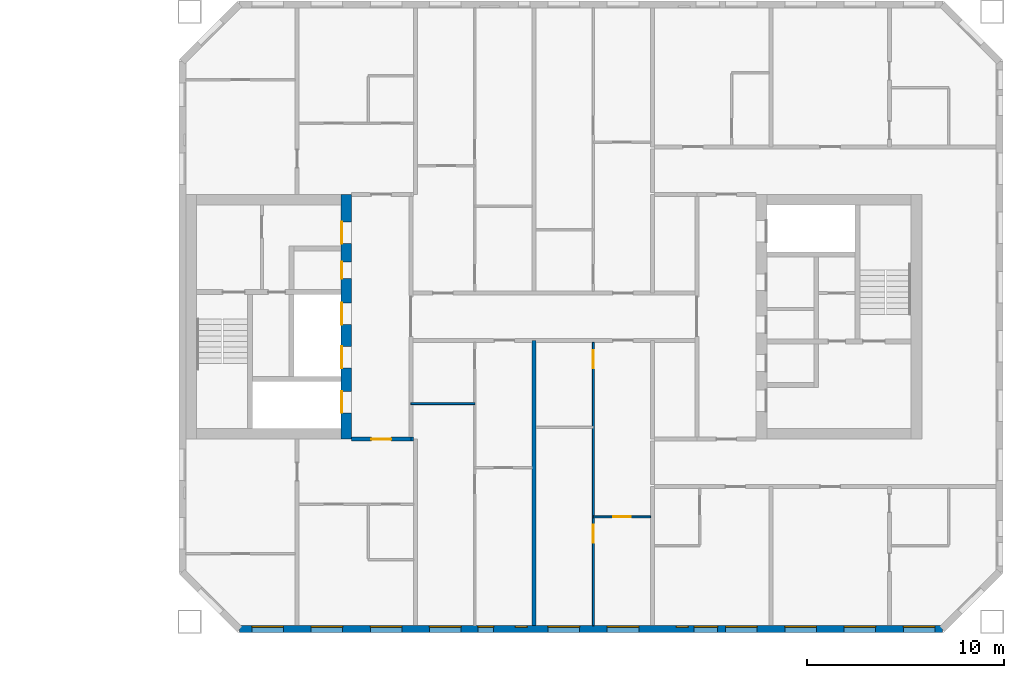
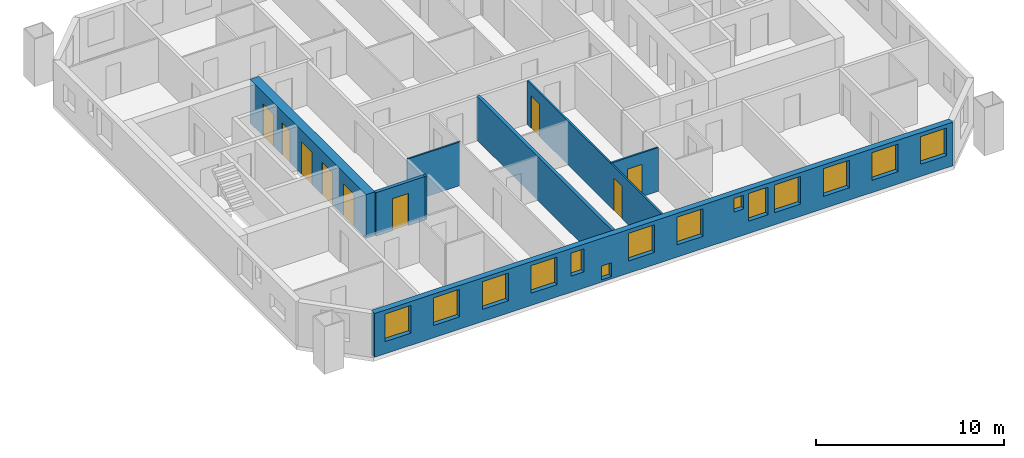
# One storey, part 10 of 16: 14 windows, 9 doors, 8 walls, 23 openings.
"""IFC4 building model written with IfcOpenShell, lengths in metres."""

from ifc_helpers import new_model, si_unit, direction, frame, frame_2d, origin, place, context, subcontext, project, spatial, rectangle, extrude, material, layer, layer_set, type_object, element, fill, save


model = new_model("IFC4")

# Units and contexts
model_context = context("Model", 3, precision=1e-05, world=origin(), true_north=direction((0.0, 1.0)))
body_context = subcontext(model_context, "Body", "Model", "MODEL_VIEW")
ifc_project = project(units=[si_unit("LENGTHUNIT", "METRE"), si_unit("AREAUNIT", "SQUARE_METRE"), si_unit("VOLUMEUNIT", "CUBIC_METRE"), si_unit("PLANEANGLEUNIT", "RADIAN"), si_unit("MASSUNIT", "GRAM", prefix="KILO")], contexts=[model_context])

# Site, building, storey
site_placement = place(None, origin())
site = spatial("IfcSite", under=ifc_project, at=site_placement, CompositionType="ELEMENT")
building_placement = place(site_placement, origin())
building = spatial("IfcBuilding", under=site, at=building_placement, Name="Tuart Gate Housing", CompositionType="ELEMENT")
storey_placement = place(building_placement, frame((0.0, 0.0, 136.10009765625)))
storey = spatial("IfcBuildingStorey", under=building, at=storey_placement, Name="L38", CompositionType="ELEMENT", Elevation=136.10009765625)

# Wall, openings, windows
ifc_material_1 = material(Name="Brick", Category="masonry")
ifc_layer_1 = layer(ifc_material_1, 0.360107421875)
ifc_layer_set_1 = layer_set([ifc_layer_1], Name="Brick pier and spandrel wall 360")
wall_type_1 = type_object("IfcWallType", Name="Brick pier and spandrel wall 360", PredefinedType="STANDARD", material=ifc_layer_set_1)
wall_1_placement = place(storey_placement, frame((134.07470703125, 54.179931640625, 0.0), z_axis=(0.0, 0.0, 1.0), x_axis=(1.0, 0.0, 0.0)))
wall_1 = element("IfcWall", 1, at=wall_1_placement, inside=storey, type_object=wall_type_1, Name="External wall B-S L38", PredefinedType="STANDARD", context=body_context, shape_type="SweptSolid", body=[
    extrude(rectangle(XDim=35.600830078125, YDim=0.360107421875, at=frame_2d((17.80029296875, 0.0))), origin(), (0.0, 0.0, 1.0), 2.849853515625),
])
opening_1_placement = place(wall_1_placement, frame((0.62548828125, 0.0, 0.800048828125)))
opening_1 = element("IfcOpeningElement", 2, at=opening_1_placement, cuts=wall_1, Name="Opening W1", PredefinedType="OPENING", context=body_context, shape_type="SweptSolid", body=[
    extrude(rectangle(XDim=1.60009765625, YDim=1.800048828125, at=frame_2d((0.800048828125, 0.89990234375))), frame((0.0, 0.18994140625, 0.0), z_axis=(0.0, -1.0, 0.0), x_axis=(1.0, 0.0, 0.0)), (0.0, 0.0, 1.0), 0.380126953125),
])
opening_2_placement = place(wall_1_placement, frame((3.62548828125, 0.0, 0.800048828125)))
opening_2 = element("IfcOpeningElement", 3, at=opening_2_placement, cuts=wall_1, Name="Opening W1", PredefinedType="OPENING", context=body_context, shape_type="SweptSolid", body=[
    extrude(rectangle(XDim=1.60009765625, YDim=1.800048828125, at=frame_2d((0.800048828125, 0.89990234375))), frame((0.0, 0.18994140625, 0.0), z_axis=(0.0, -1.0, 0.0), x_axis=(1.0, 0.0, 0.0)), (0.0, 0.0, 1.0), 0.380126953125),
])
opening_3_placement = place(wall_1_placement, frame((6.62548828125, 0.0, 0.800048828125)))
opening_3 = element("IfcOpeningElement", 4, at=opening_3_placement, cuts=wall_1, Name="Opening W1", PredefinedType="OPENING", context=body_context, shape_type="SweptSolid", body=[
    extrude(rectangle(XDim=1.60009765625, YDim=1.800048828125, at=frame_2d((0.800048828125, 0.89990234375))), frame((0.0, 0.18994140625, 0.0), z_axis=(0.0, -1.0, 0.0), x_axis=(1.0, 0.0, 0.0)), (0.0, 0.0, 1.0), 0.380126953125),
])
opening_4_placement = place(wall_1_placement, frame((9.62548828125, 0.0, 0.800048828125)))
opening_4 = element("IfcOpeningElement", 5, at=opening_4_placement, cuts=wall_1, Name="Opening W1", PredefinedType="OPENING", context=body_context, shape_type="SweptSolid", body=[
    extrude(rectangle(XDim=1.60009765625, YDim=1.800048828125, at=frame_2d((0.800048828125, 0.89990234375))), frame((0.0, 0.18994140625, 0.0), z_axis=(0.0, -1.0, 0.0), x_axis=(1.0, 0.0, 0.0)), (0.0, 0.0, 1.0), 0.380126953125),
])
opening_5_placement = place(wall_1_placement, frame((12.075439453125, 0.0, 1.050048828125)))
opening_5 = element("IfcOpeningElement", 6, at=opening_5_placement, cuts=wall_1, Name="Opening W1J", PredefinedType="OPENING", context=body_context, shape_type="SweptSolid", body=[
    extrude(rectangle(XDim=0.800048828125, YDim=1.5, at=frame_2d((0.39990234375, 0.75))), frame((0.0, 0.18994140625, 0.0), z_axis=(0.0, -1.0, 0.0), x_axis=(1.0, 0.0, 0.0)), (0.0, 0.0, 1.0), 0.380126953125),
])
opening_6_placement = place(wall_1_placement, frame((15.62548828125, 0.0, 0.800048828125)))
opening_6 = element("IfcOpeningElement", 7, at=opening_6_placement, cuts=wall_1, Name="Opening W1", PredefinedType="OPENING", context=body_context, shape_type="SweptSolid", body=[
    extrude(rectangle(XDim=1.60009765625, YDim=1.800048828125, at=frame_2d((0.800048828125, 0.89990234375))), frame((0.0, 0.18994140625, 0.0), z_axis=(0.0, -1.0, 0.0), x_axis=(1.0, 0.0, 0.0)), (0.0, 0.0, 1.0), 0.380126953125),
])
opening_7_placement = place(wall_1_placement, frame((18.62548828125, 0.0, 0.800048828125)))
opening_7 = element("IfcOpeningElement", 8, at=opening_7_placement, cuts=wall_1, Name="Opening W1", PredefinedType="OPENING", context=body_context, shape_type="SweptSolid", body=[
    extrude(rectangle(XDim=1.60009765625, YDim=1.800048828125, at=frame_2d((0.800048828125, 0.89990234375))), frame((0.0, 0.18994140625, 0.0), z_axis=(0.0, -1.0, 0.0), x_axis=(1.0, 0.0, 0.0)), (0.0, 0.0, 1.0), 0.380126953125),
])
opening_8_placement = place(wall_1_placement, frame((22.12548828125, 0.0, 1.699951171875)))
opening_8 = element("IfcOpeningElement", 9, at=opening_8_placement, cuts=wall_1, Name="Opening W1W", PredefinedType="OPENING", context=body_context, shape_type="SweptSolid", body=[
    extrude(rectangle(XDim=0.60009765625, YDim=0.89990234375, at=frame_2d((0.300048828125, 0.449951171875))), frame((0.0, 0.18994140625, 0.0), z_axis=(0.0, -1.0, 0.0), x_axis=(1.0, 0.0, 0.0)), (0.0, 0.0, 1.0), 0.380126953125),
])
opening_9_placement = place(wall_1_placement, frame((24.62548828125, 0.0, 0.800048828125)))
opening_9 = element("IfcOpeningElement", 10, at=opening_9_placement, cuts=wall_1, Name="Opening W1", PredefinedType="OPENING", context=body_context, shape_type="SweptSolid", body=[
    extrude(rectangle(XDim=1.60009765625, YDim=1.800048828125, at=frame_2d((0.800048828125, 0.89990234375))), frame((0.0, 0.18994140625, 0.0), z_axis=(0.0, -1.0, 0.0), x_axis=(1.0, 0.0, 0.0)), (0.0, 0.0, 1.0), 0.380126953125),
])
opening_10_placement = place(wall_1_placement, frame((27.62548828125, 0.0, 0.800048828125)))
opening_10 = element("IfcOpeningElement", 11, at=opening_10_placement, cuts=wall_1, Name="Opening W1", PredefinedType="OPENING", context=body_context, shape_type="SweptSolid", body=[
    extrude(rectangle(XDim=1.60009765625, YDim=1.800048828125, at=frame_2d((0.800048828125, 0.89990234375))), frame((0.0, 0.18994140625, 0.0), z_axis=(0.0, -1.0, 0.0), x_axis=(1.0, 0.0, 0.0)), (0.0, 0.0, 1.0), 0.380126953125),
])
opening_11_placement = place(wall_1_placement, frame((30.62548828125, 0.0, 0.800048828125)))
opening_11 = element("IfcOpeningElement", 12, at=opening_11_placement, cuts=wall_1, Name="Opening W1", PredefinedType="OPENING", context=body_context, shape_type="SweptSolid", body=[
    extrude(rectangle(XDim=1.60009765625, YDim=1.800048828125, at=frame_2d((0.800048828125, 0.89990234375))), frame((0.0, 0.18994140625, 0.0), z_axis=(0.0, -1.0, 0.0), x_axis=(1.0, 0.0, 0.0)), (0.0, 0.0, 1.0), 0.380126953125),
])
opening_12_placement = place(wall_1_placement, frame((33.62548828125, 0.0, 0.800048828125)))
opening_12 = element("IfcOpeningElement", 13, at=opening_12_placement, cuts=wall_1, Name="Opening W1", PredefinedType="OPENING", context=body_context, shape_type="SweptSolid", body=[
    extrude(rectangle(XDim=1.60009765625, YDim=1.800048828125, at=frame_2d((0.800048828125, 0.89990234375))), frame((0.0, 0.18994140625, 0.0), z_axis=(0.0, -1.0, 0.0), x_axis=(1.0, 0.0, 0.0)), (0.0, 0.0, 1.0), 0.380126953125),
])
opening_13_placement = place(wall_1_placement, frame((13.975341796875, 0.0, 0.14990234375)))
opening_13 = element("IfcOpeningElement", 14, at=opening_13_placement, cuts=wall_1, Name="Opening W1W", PredefinedType="OPENING", context=body_context, shape_type="SweptSolid", body=[
    extrude(rectangle(XDim=0.60009765625, YDim=0.89990234375, at=frame_2d((0.300048828125, 0.449951171875))), frame((0.0, 0.18994140625, 0.0), z_axis=(0.0, -1.0, 0.0), x_axis=(1.0, 0.0, 0.0)), (0.0, 0.0, 1.0), 0.380126953125),
])
opening_14_placement = place(wall_1_placement, frame((23.025390625, 0.0, 0.800048828125)))
opening_14 = element("IfcOpeningElement", 15, at=opening_14_placement, cuts=wall_1, Name="Opening W1B", PredefinedType="OPENING", context=body_context, shape_type="SweptSolid", body=[
    extrude(rectangle(XDim=1.199951171875, YDim=1.800048828125, at=frame_2d((0.60009765625, 0.89990234375))), frame((0.0, 0.18994140625, 0.0), z_axis=(0.0, -1.0, 0.0), x_axis=(1.0, 0.0, 0.0)), (0.0, 0.0, 1.0), 0.380126953125),
])
ifc_material_2 = material(Name="Aluminium frame with clear glass", Category="aluminium")
window_type_1 = type_object("IfcWindowType", Name="Punched window 1200 x 1800", PartitioningType="SINGLE_PANEL", PredefinedType="WINDOW", material=ifc_material_2)
window_1_placement = place(opening_14_placement, origin())
window_1 = element("IfcWindow", 16, at=window_1_placement, inside=storey, type_object=window_type_1, Name="Window W1B", OverallHeight=1.800048828125, OverallWidth=1.199951171875, PartitioningType="SINGLE_PANEL", PredefinedType="WINDOW", context=body_context, shape_type="SweptSolid", body=[
    extrude(rectangle(XDim=1.199951171875, YDim=1.800048828125, at=frame_2d((0.60009765625, 0.89990234375))), frame((0.0, 0.150146484375, 0.0), z_axis=(0.0, -1.0, 0.0), x_axis=(1.0, 0.0, 0.0)), (0.0, 0.0, 1.0), 0.06005859375),
])
fill(opening_14, window_1)
ifc_material_3 = material(Name="Aluminium frame with clear glass", Category="aluminium")
window_type_2 = type_object("IfcWindowType", Name="Punched window 1600 x 1800", PartitioningType="SINGLE_PANEL", PredefinedType="WINDOW", material=ifc_material_3)
window_2_placement = place(opening_1_placement, origin())
window_2 = element("IfcWindow", 17, at=window_2_placement, inside=storey, type_object=window_type_2, Name="Window W1", OverallHeight=1.800048828125, OverallWidth=1.60009765625, PartitioningType="SINGLE_PANEL", PredefinedType="WINDOW", context=body_context, shape_type="SweptSolid", body=[
    extrude(rectangle(XDim=1.60009765625, YDim=1.800048828125, at=frame_2d((0.800048828125, 0.89990234375))), frame((0.0, 0.150146484375, 0.0), z_axis=(0.0, -1.0, 0.0), x_axis=(1.0, 0.0, 0.0)), (0.0, 0.0, 1.0), 0.06005859375),
])
fill(opening_1, window_2)
window_3_placement = place(opening_2_placement, origin())
window_3 = element("IfcWindow", 18, at=window_3_placement, inside=storey, type_object=window_type_2, Name="Window W1", OverallHeight=1.800048828125, OverallWidth=1.60009765625, PartitioningType="SINGLE_PANEL", PredefinedType="WINDOW", context=body_context, shape_type="SweptSolid", body=[
    extrude(rectangle(XDim=1.60009765625, YDim=1.800048828125, at=frame_2d((0.800048828125, 0.89990234375))), frame((0.0, 0.150146484375, 0.0), z_axis=(0.0, -1.0, 0.0), x_axis=(1.0, 0.0, 0.0)), (0.0, 0.0, 1.0), 0.06005859375),
])
fill(opening_2, window_3)
window_4_placement = place(opening_3_placement, origin())
window_4 = element("IfcWindow", 19, at=window_4_placement, inside=storey, type_object=window_type_2, Name="Window W1", OverallHeight=1.800048828125, OverallWidth=1.60009765625, PartitioningType="SINGLE_PANEL", PredefinedType="WINDOW", context=body_context, shape_type="SweptSolid", body=[
    extrude(rectangle(XDim=1.60009765625, YDim=1.800048828125, at=frame_2d((0.800048828125, 0.89990234375))), frame((0.0, 0.150146484375, 0.0), z_axis=(0.0, -1.0, 0.0), x_axis=(1.0, 0.0, 0.0)), (0.0, 0.0, 1.0), 0.06005859375),
])
fill(opening_3, window_4)
window_5_placement = place(opening_4_placement, origin())
window_5 = element("IfcWindow", 20, at=window_5_placement, inside=storey, type_object=window_type_2, Name="Window W1", OverallHeight=1.800048828125, OverallWidth=1.60009765625, PartitioningType="SINGLE_PANEL", PredefinedType="WINDOW", context=body_context, shape_type="SweptSolid", body=[
    extrude(rectangle(XDim=1.60009765625, YDim=1.800048828125, at=frame_2d((0.800048828125, 0.89990234375))), frame((0.0, 0.150146484375, 0.0), z_axis=(0.0, -1.0, 0.0), x_axis=(1.0, 0.0, 0.0)), (0.0, 0.0, 1.0), 0.06005859375),
])
fill(opening_4, window_5)
window_6_placement = place(opening_6_placement, origin())
window_6 = element("IfcWindow", 21, at=window_6_placement, inside=storey, type_object=window_type_2, Name="Window W1", OverallHeight=1.800048828125, OverallWidth=1.60009765625, PartitioningType="SINGLE_PANEL", PredefinedType="WINDOW", context=body_context, shape_type="SweptSolid", body=[
    extrude(rectangle(XDim=1.60009765625, YDim=1.800048828125, at=frame_2d((0.800048828125, 0.89990234375))), frame((0.0, 0.150146484375, 0.0), z_axis=(0.0, -1.0, 0.0), x_axis=(1.0, 0.0, 0.0)), (0.0, 0.0, 1.0), 0.06005859375),
])
fill(opening_6, window_6)
window_7_placement = place(opening_7_placement, origin())
window_7 = element("IfcWindow", 22, at=window_7_placement, inside=storey, type_object=window_type_2, Name="Window W1", OverallHeight=1.800048828125, OverallWidth=1.60009765625, PartitioningType="SINGLE_PANEL", PredefinedType="WINDOW", context=body_context, shape_type="SweptSolid", body=[
    extrude(rectangle(XDim=1.60009765625, YDim=1.800048828125, at=frame_2d((0.800048828125, 0.89990234375))), frame((0.0, 0.150146484375, 0.0), z_axis=(0.0, -1.0, 0.0), x_axis=(1.0, 0.0, 0.0)), (0.0, 0.0, 1.0), 0.06005859375),
])
fill(opening_7, window_7)
window_8_placement = place(opening_9_placement, origin())
window_8 = element("IfcWindow", 23, at=window_8_placement, inside=storey, type_object=window_type_2, Name="Window W1", OverallHeight=1.800048828125, OverallWidth=1.60009765625, PartitioningType="SINGLE_PANEL", PredefinedType="WINDOW", context=body_context, shape_type="SweptSolid", body=[
    extrude(rectangle(XDim=1.60009765625, YDim=1.800048828125, at=frame_2d((0.800048828125, 0.89990234375))), frame((0.0, 0.150146484375, 0.0), z_axis=(0.0, -1.0, 0.0), x_axis=(1.0, 0.0, 0.0)), (0.0, 0.0, 1.0), 0.06005859375),
])
fill(opening_9, window_8)
window_9_placement = place(opening_10_placement, origin())
window_9 = element("IfcWindow", 24, at=window_9_placement, inside=storey, type_object=window_type_2, Name="Window W1", OverallHeight=1.800048828125, OverallWidth=1.60009765625, PartitioningType="SINGLE_PANEL", PredefinedType="WINDOW", context=body_context, shape_type="SweptSolid", body=[
    extrude(rectangle(XDim=1.60009765625, YDim=1.800048828125, at=frame_2d((0.800048828125, 0.89990234375))), frame((0.0, 0.150146484375, 0.0), z_axis=(0.0, -1.0, 0.0), x_axis=(1.0, 0.0, 0.0)), (0.0, 0.0, 1.0), 0.06005859375),
])
fill(opening_10, window_9)
window_10_placement = place(opening_11_placement, origin())
window_10 = element("IfcWindow", 25, at=window_10_placement, inside=storey, type_object=window_type_2, Name="Window W1", OverallHeight=1.800048828125, OverallWidth=1.60009765625, PartitioningType="SINGLE_PANEL", PredefinedType="WINDOW", context=body_context, shape_type="SweptSolid", body=[
    extrude(rectangle(XDim=1.60009765625, YDim=1.800048828125, at=frame_2d((0.800048828125, 0.89990234375))), frame((0.0, 0.150146484375, 0.0), z_axis=(0.0, -1.0, 0.0), x_axis=(1.0, 0.0, 0.0)), (0.0, 0.0, 1.0), 0.06005859375),
])
fill(opening_11, window_10)
window_11_placement = place(opening_12_placement, origin())
window_11 = element("IfcWindow", 26, at=window_11_placement, inside=storey, type_object=window_type_2, Name="Window W1", OverallHeight=1.800048828125, OverallWidth=1.60009765625, PartitioningType="SINGLE_PANEL", PredefinedType="WINDOW", context=body_context, shape_type="SweptSolid", body=[
    extrude(rectangle(XDim=1.60009765625, YDim=1.800048828125, at=frame_2d((0.800048828125, 0.89990234375))), frame((0.0, 0.150146484375, 0.0), z_axis=(0.0, -1.0, 0.0), x_axis=(1.0, 0.0, 0.0)), (0.0, 0.0, 1.0), 0.06005859375),
])
fill(opening_12, window_11)
ifc_material_4 = material(Name="Aluminium frame with clear glass", Category="aluminium")
window_type_3 = type_object("IfcWindowType", Name="Punched window 600 x 900", PartitioningType="SINGLE_PANEL", PredefinedType="WINDOW", material=ifc_material_4)
window_12_placement = place(opening_8_placement, origin())
window_12 = element("IfcWindow", 27, at=window_12_placement, inside=storey, type_object=window_type_3, Name="Window W1W", OverallHeight=0.89990234375, OverallWidth=0.60009765625, PartitioningType="SINGLE_PANEL", PredefinedType="WINDOW", context=body_context, shape_type="SweptSolid", body=[
    extrude(rectangle(XDim=0.60009765625, YDim=0.89990234375, at=frame_2d((0.300048828125, 0.449951171875))), frame((0.0, 0.150146484375, 0.0), z_axis=(0.0, -1.0, 0.0), x_axis=(1.0, 0.0, 0.0)), (0.0, 0.0, 1.0), 0.06005859375),
])
fill(opening_8, window_12)
window_13_placement = place(opening_13_placement, origin())
window_13 = element("IfcWindow", 28, at=window_13_placement, inside=storey, type_object=window_type_3, Name="Window W1W", OverallHeight=0.89990234375, OverallWidth=0.60009765625, PartitioningType="SINGLE_PANEL", PredefinedType="WINDOW", context=body_context, shape_type="SweptSolid", body=[
    extrude(rectangle(XDim=0.60009765625, YDim=0.89990234375, at=frame_2d((0.300048828125, 0.449951171875))), frame((0.0, 0.150146484375, 0.0), z_axis=(0.0, -1.0, 0.0), x_axis=(1.0, 0.0, 0.0)), (0.0, 0.0, 1.0), 0.06005859375),
])
fill(opening_13, window_13)
ifc_material_5 = material(Name="Aluminium frame with clear glass", Category="aluminium")
window_type_4 = type_object("IfcWindowType", Name="Punched window 800 x 1500", PartitioningType="SINGLE_PANEL", PredefinedType="WINDOW", material=ifc_material_5)
window_14_placement = place(opening_5_placement, origin())
window_14 = element("IfcWindow", 29, at=window_14_placement, inside=storey, type_object=window_type_4, Name="Window W1J", OverallHeight=1.5, OverallWidth=0.800048828125, PartitioningType="SINGLE_PANEL", PredefinedType="WINDOW", context=body_context, shape_type="SweptSolid", body=[
    extrude(rectangle(XDim=0.800048828125, YDim=1.5, at=frame_2d((0.39990234375, 0.75))), frame((0.0, 0.150146484375, 0.0), z_axis=(0.0, -1.0, 0.0), x_axis=(1.0, 0.0, 0.0)), (0.0, 0.0, 1.0), 0.06005859375),
])
fill(opening_5, window_14)

# Wall, openings, doors
ifc_material_6 = material(Name="Concrete C50", Category="concrete")
ifc_layer_2 = layer(ifc_material_6, 0.550048828125)
ifc_layer_set_2 = layer_set([ifc_layer_2], Name="Core wall 550 C50")
wall_type_2 = type_object("IfcWallType", Name="Core wall 550 C50", PredefinedType="SHEAR", material=ifc_layer_set_2)
wall_2_placement = place(storey_placement, frame((139.485107421875, 63.800048828125, 0.0), z_axis=(0.0, 0.0, 1.0), x_axis=(0.0, 1.0, 0.0)))
wall_2 = element("IfcWall", 30, at=wall_2_placement, inside=storey, type_object=wall_type_2, Name="Core wall BG front", PredefinedType="SHEAR", context=body_context, shape_type="SweptSolid", body=[
    extrude(rectangle(XDim=12.39990234375, YDim=0.550048828125, at=frame_2d((6.199951171875, 0.0))), origin(), (0.0, 0.0, 1.0), 2.849853515625),
])
opening_15_placement = place(wall_2_placement, frame((1.324951171875, 0.0, 0.0)))
opening_15 = element("IfcOpeningElement", 31, at=opening_15_placement, cuts=wall_2, Name="Opening LD-FB1", PredefinedType="OPENING", context=body_context, shape_type="SweptSolid", body=[
    extrude(rectangle(XDim=1.10009765625, YDim=2.10009765625, at=frame_2d((0.550048828125, 1.050048828125))), frame((0.0, 0.284912109375, 0.0), z_axis=(0.0, -1.0, 0.0), x_axis=(1.0, 0.0, 0.0)), (0.0, 0.0, 1.0), 0.570068359375),
])
opening_16_placement = place(wall_2_placement, frame((3.60009765625, 0.0, 0.0)))
opening_16 = element("IfcOpeningElement", 32, at=opening_16_placement, cuts=wall_2, Name="Opening LD-LB1", PredefinedType="OPENING", context=body_context, shape_type="SweptSolid", body=[
    extrude(rectangle(XDim=1.10009765625, YDim=2.10009765625, at=frame_2d((0.550048828125, 1.050048828125))), frame((0.0, 0.284912109375, 0.0), z_axis=(0.0, -1.0, 0.0), x_axis=(1.0, 0.0, 0.0)), (0.0, 0.0, 1.0), 0.570068359375),
])
opening_17_placement = place(wall_2_placement, frame((5.800048828125, 0.0, 0.0)))
opening_17 = element("IfcOpeningElement", 33, at=opening_17_placement, cuts=wall_2, Name="Opening LD-LB2", PredefinedType="OPENING", context=body_context, shape_type="SweptSolid", body=[
    extrude(rectangle(XDim=1.10009765625, YDim=2.10009765625, at=frame_2d((0.550048828125, 1.050048828125))), frame((0.0, 0.284912109375, 0.0), z_axis=(0.0, -1.0, 0.0), x_axis=(1.0, 0.0, 0.0)), (0.0, 0.0, 1.0), 0.570068359375),
])
opening_18_placement = place(wall_2_placement, frame((9.89990234375, 0.0, 0.0)))
opening_18 = element("IfcOpeningElement", 34, at=opening_18_placement, cuts=wall_2, Name="Opening D1487", PredefinedType="OPENING", context=body_context, shape_type="SweptSolid", body=[
    extrude(rectangle(XDim=1.10009765625, YDim=2.10009765625, at=frame_2d((0.550048828125, 1.050048828125))), frame((0.0, 0.284912109375, 0.0), z_axis=(0.0, -1.0, 0.0), x_axis=(1.0, 0.0, 0.0)), (0.0, 0.0, 1.0), 0.570068359375),
])
opening_19_placement = place(wall_2_placement, frame((8.125, 0.0, 0.0)))
opening_19 = element("IfcOpeningElement", 35, at=opening_19_placement, cuts=wall_2, Name="Opening D1488", PredefinedType="OPENING", context=body_context, shape_type="SweptSolid", body=[
    extrude(rectangle(XDim=0.85009765625, YDim=2.10009765625, at=frame_2d((0.425048828125, 1.050048828125))), frame((0.0, 0.284912109375, 0.0), z_axis=(0.0, -1.0, 0.0), x_axis=(1.0, 0.0, 0.0)), (0.0, 0.0, 1.0), 0.570068359375),
])
ifc_material_7 = material(Name="Stainless steel", Category="steel")
door_type_1 = type_object("IfcDoorType", Name="Landing door 1100 x 2100", OperationType="DOUBLE_DOOR_SLIDING", PredefinedType="DOOR", material=ifc_material_7)
door_1_placement = place(opening_15_placement, origin())
door_1 = element("IfcDoor", 36, at=door_1_placement, inside=storey, type_object=door_type_1, Name="Lift landing door FB1", OperationType="DOUBLE_DOOR_SLIDING", OverallHeight=2.10009765625, OverallWidth=1.10009765625, PredefinedType="DOOR", context=body_context, shape_type="SweptSolid", body=[
    extrude(rectangle(XDim=1.10009765625, YDim=2.10009765625, at=frame_2d((0.550048828125, 1.050048828125))), frame((0.0, 0.26025390625, 0.0), z_axis=(0.0, -1.0, 0.0), x_axis=(1.0, 0.0, 0.0)), (0.0, 0.0, 1.0), 0.050048828125),
])
fill(opening_15, door_1)
door_2_placement = place(opening_16_placement, origin())
door_2 = element("IfcDoor", 37, at=door_2_placement, inside=storey, type_object=door_type_1, Name="Lift landing door LB1", OperationType="DOUBLE_DOOR_SLIDING", OverallHeight=2.10009765625, OverallWidth=1.10009765625, PredefinedType="DOOR", context=body_context, shape_type="SweptSolid", body=[
    extrude(rectangle(XDim=1.10009765625, YDim=2.10009765625, at=frame_2d((0.550048828125, 1.050048828125))), frame((0.0, 0.26025390625, 0.0), z_axis=(0.0, -1.0, 0.0), x_axis=(1.0, 0.0, 0.0)), (0.0, 0.0, 1.0), 0.050048828125),
])
fill(opening_16, door_2)
door_3_placement = place(opening_17_placement, origin())
door_3 = element("IfcDoor", 38, at=door_3_placement, inside=storey, type_object=door_type_1, Name="Lift landing door LB2", OperationType="DOUBLE_DOOR_SLIDING", OverallHeight=2.10009765625, OverallWidth=1.10009765625, PredefinedType="DOOR", context=body_context, shape_type="SweptSolid", body=[
    extrude(rectangle(XDim=1.10009765625, YDim=2.10009765625, at=frame_2d((0.550048828125, 1.050048828125))), frame((0.0, 0.26025390625, 0.0), z_axis=(0.0, -1.0, 0.0), x_axis=(1.0, 0.0, 0.0)), (0.0, 0.0, 1.0), 0.050048828125),
])
fill(opening_17, door_3)
ifc_material_8 = material(Name="Steel fire door", Category="steel")
door_type_2 = type_object("IfcDoorType", Name="Lobby door 1100 x 2100", OperationType="SINGLE_SWING_LEFT", PredefinedType="DOOR", material=ifc_material_8)
door_4_placement = place(opening_18_placement, origin())
door_4 = element("IfcDoor", 39, at=door_4_placement, inside=storey, type_object=door_type_2, Name="Lobby entry door BG.EN", OperationType="SINGLE_SWING_LEFT", OverallHeight=2.10009765625, OverallWidth=1.10009765625, PredefinedType="DOOR", context=body_context, shape_type="SweptSolid", body=[
    extrude(rectangle(XDim=1.10009765625, YDim=2.10009765625, at=frame_2d((0.550048828125, 1.050048828125))), frame((0.0, 0.26025390625, 0.0), z_axis=(0.0, -1.0, 0.0), x_axis=(1.0, 0.0, 0.0)), (0.0, 0.0, 1.0), 0.050048828125),
])
fill(opening_18, door_4)
ifc_material_9 = material(Name="Steel fire door", Category="steel")
door_type_3 = type_object("IfcDoorType", Name="Service door 850 x 2100", OperationType="SINGLE_SWING_LEFT", PredefinedType="DOOR", material=ifc_material_9)
door_5_placement = place(opening_19_placement, origin())
door_5 = element("IfcDoor", 40, at=door_5_placement, inside=storey, type_object=door_type_3, Name="Service room door BG.T1", OperationType="SINGLE_SWING_LEFT", OverallHeight=2.10009765625, OverallWidth=0.85009765625, PredefinedType="DOOR", context=body_context, shape_type="SweptSolid", body=[
    extrude(rectangle(XDim=0.85009765625, YDim=2.10009765625, at=frame_2d((0.425048828125, 1.050048828125))), frame((0.0, 0.26025390625, 0.0), z_axis=(0.0, -1.0, 0.0), x_axis=(1.0, 0.0, 0.0)), (0.0, 0.0, 1.0), 0.050048828125),
])
fill(opening_19, door_5)

# Wall, opening, door
ifc_material_10 = material(Name="Concrete masonry 15 MPa", Category="masonry")
ifc_layer_3 = layer(ifc_material_10, 0.199951171875)
ifc_layer_set_3 = layer_set([ifc_layer_3], Name="Enclosure wall masonry 200")
wall_type_3 = type_object("IfcWallType", Name="Enclosure wall masonry 200", PredefinedType="PARTITIONING", material=ifc_layer_set_3)
wall_3_placement = place(storey_placement, frame((139.760009765625, 63.800048828125, 0.0), z_axis=(0.0, 0.0, 1.0), x_axis=(1.0, 0.0, 0.0)))
wall_3 = element("IfcWall", 41, at=wall_3_placement, inside=storey, type_object=wall_type_3, Name="Enclosure wall masonry 200", PredefinedType="PARTITIONING", context=body_context, shape_type="SweptSolid", body=[
    extrude(rectangle(XDim=3.0, YDim=0.199951171875, at=frame_2d((1.5, 0.0))), origin(), (0.0, 0.0, 1.0), 2.849853515625),
])
opening_20_placement = place(wall_3_placement, frame((1.0, 0.0, 0.0)))
opening_20 = element("IfcOpeningElement", 42, at=opening_20_placement, cuts=wall_3, Name="Opening D1499", PredefinedType="OPENING", context=body_context, shape_type="SweptSolid", body=[
    extrude(rectangle(XDim=1.0, YDim=2.10009765625, at=frame_2d((0.5, 1.050048828125))), frame((0.0, 0.10986328125, 0.0), z_axis=(0.0, -1.0, 0.0), x_axis=(1.0, 0.0, 0.0)), (0.0, 0.0, 1.0), 0.219970703125),
])
ifc_material_11 = material(Name="Timber door leaf in steel frame", Category="steel")
door_type_4 = type_object("IfcDoorType", Name="Flat entrance door 1000", OperationType="SINGLE_SWING_LEFT", PredefinedType="DOOR", material=ifc_material_11)
door_6_placement = place(opening_20_placement, frame((1.0, 0.0, 0.0), z_axis=(0.0, 0.0, 1.0), x_axis=(-1.0, 0.0, 0.0)))
door_6 = element("IfcDoor", 43, at=door_6_placement, inside=storey, type_object=door_type_4, Name="Flat entrance door", OperationType="SINGLE_SWING_LEFT", OverallHeight=2.10009765625, OverallWidth=1.0, PredefinedType="DOOR", context=body_context, shape_type="SweptSolid", body=[
    extrude(rectangle(XDim=1.0, YDim=2.10009765625, at=frame_2d((0.5, 1.050048828125))), frame((0.0, 0.025146484375, 0.0), z_axis=(0.0, -1.0, 0.0), x_axis=(1.0, 0.0, 0.0)), (0.0, 0.0, 1.0), 0.050048828125),
])
fill(opening_20, door_6)

ifc_material_12 = material(Name="Gypsum board on steel studs", Category="steel")
ifc_layer_4 = layer(ifc_material_12, 0.10009765625)
ifc_layer_set_4 = layer_set([ifc_layer_4], Name="Partition 100")
wall_type_4 = type_object("IfcWallType", Name="Partition 100", PredefinedType="PARTITIONING", material=ifc_layer_set_4)
wall_4_placement = place(storey_placement, frame((152.0, 59.860107421875, 0.0), z_axis=(0.0, 0.0, 1.0), x_axis=(1.0, 0.0, 0.0)))
wall_4 = element("IfcWall", 44, at=wall_4_placement, inside=storey, type_object=wall_type_4, Name="Partition 100", PredefinedType="PARTITIONING", context=body_context, shape_type="SweptSolid", body=[
    extrude(rectangle(XDim=2.89990234375, YDim=0.10009765625, at=frame_2d((1.449951171875, 0.0))), origin(), (0.0, 0.0, 1.0), 2.849853515625),
])
opening_21_placement = place(wall_4_placement, frame((1.0, 0.0, 0.0)))
opening_21 = element("IfcOpeningElement", 45, at=opening_21_placement, cuts=wall_4, Name="Opening D1511", PredefinedType="OPENING", context=body_context, shape_type="SweptSolid", body=[
    extrude(rectangle(XDim=0.89990234375, YDim=2.10009765625, at=frame_2d((0.449951171875, 1.050048828125))), frame((0.0, 0.06005859375, 0.0), z_axis=(0.0, -1.0, 0.0), x_axis=(1.0, 0.0, 0.0)), (0.0, 0.0, 1.0), 0.1201171875),
])
ifc_material_13 = material(Name="Timber door leaf in steel frame", Category="steel")
door_type_5 = type_object("IfcDoorType", Name="Internal door 900", OperationType="SINGLE_SWING_LEFT", PredefinedType="DOOR", material=ifc_material_13)
door_7_placement = place(opening_21_placement, origin())
door_7 = element("IfcDoor", 46, at=door_7_placement, inside=storey, type_object=door_type_5, Name="Internal door", OperationType="SINGLE_SWING_LEFT", OverallHeight=2.10009765625, OverallWidth=0.89990234375, PredefinedType="DOOR", context=body_context, shape_type="SweptSolid", body=[
    extrude(rectangle(XDim=0.89990234375, YDim=2.10009765625, at=frame_2d((0.449951171875, 1.050048828125))), frame((0.0, 0.02490234375, 0.0), z_axis=(0.0, -1.0, 0.0), x_axis=(1.0, 0.0, 0.0)), (0.0, 0.0, 1.0), 0.050048828125),
])
fill(opening_21, door_7)

# Wall
wall_5_placement = place(storey_placement, frame((142.760009765625, 65.60009765625, 0.0), z_axis=(0.0, 0.0, 1.0), x_axis=(1.0, 0.0, 0.0)))
element("IfcWall", 47, at=wall_5_placement, inside=storey, type_object=wall_type_4, Name="Partition 100", PredefinedType="PARTITIONING", context=body_context, shape_type="SweptSolid", body=[
    extrude(rectangle(XDim=3.239990234375, YDim=0.10009765625, at=frame_2d((1.6201171875, 0.0))), origin(), (0.0, 0.0, 1.0), 2.849853515625),
])

# Wall, openings, doors
wall_6_placement = place(storey_placement, frame((152.0, 54.360107421875, 0.0), z_axis=(0.0, 0.0, 1.0), x_axis=(0.0, 1.0, 0.0)))
wall_6 = element("IfcWall", 48, at=wall_6_placement, inside=storey, type_object=wall_type_4, Name="Partition 100", PredefinedType="PARTITIONING", context=body_context, shape_type="SweptSolid", body=[
    extrude(rectangle(XDim=14.33984375, YDim=0.10009765625, at=frame_2d((7.169921875, 0.0))), origin(), (0.0, 0.0, 1.0), 2.849853515625),
])
opening_22_placement = place(wall_6_placement, frame((4.199951171875, 0.0, 0.0)))
opening_22 = element("IfcOpeningElement", 49, at=opening_22_placement, cuts=wall_6, Name="Opening D1505", PredefinedType="OPENING", context=body_context, shape_type="SweptSolid", body=[
    extrude(rectangle(XDim=0.89990234375, YDim=2.10009765625, at=frame_2d((0.449951171875, 1.050048828125))), frame((0.0, 0.06005859375, 0.0), z_axis=(0.0, -1.0, 0.0), x_axis=(1.0, 0.0, 0.0)), (0.0, 0.0, 1.0), 0.1201171875),
])
opening_23_placement = place(wall_6_placement, frame((13.0400390625, 0.0, 0.0)))
opening_23 = element("IfcOpeningElement", 50, at=opening_23_placement, cuts=wall_6, Name="Opening D1504", PredefinedType="OPENING", context=body_context, shape_type="SweptSolid", body=[
    extrude(rectangle(XDim=0.89990234375, YDim=2.10009765625, at=frame_2d((0.449951171875, 1.050048828125))), frame((0.0, 0.06005859375, 0.0), z_axis=(0.0, -1.0, 0.0), x_axis=(1.0, 0.0, 0.0)), (0.0, 0.0, 1.0), 0.1201171875),
])
ifc_material_14 = material(Name="Timber door leaf in steel frame", Category="steel")
door_type_6 = type_object("IfcDoorType", Name="Bathroom door 900 RH", OperationType="SINGLE_SWING_RIGHT", PredefinedType="DOOR", material=ifc_material_14)
door_8_placement = place(opening_23_placement, origin())
door_8 = element("IfcDoor", 51, at=door_8_placement, inside=storey, type_object=door_type_6, Name="Bathroom door", OperationType="SINGLE_SWING_RIGHT", OverallHeight=2.10009765625, OverallWidth=0.89990234375, PredefinedType="DOOR", context=body_context, shape_type="SweptSolid", body=[
    extrude(rectangle(XDim=0.89990234375, YDim=2.10009765625, at=frame_2d((0.449951171875, 1.050048828125))), frame((0.0, 0.02490234375, 0.0), z_axis=(0.0, -1.0, 0.0), x_axis=(1.0, 0.0, 0.0)), (0.0, 0.0, 1.0), 0.050048828125),
])
fill(opening_23, door_8)
door_9_placement = place(opening_22_placement, origin())
door_9 = element("IfcDoor", 52, at=door_9_placement, inside=storey, type_object=door_type_5, Name="Internal door", OperationType="SINGLE_SWING_LEFT", OverallHeight=2.10009765625, OverallWidth=0.89990234375, PredefinedType="DOOR", context=body_context, shape_type="SweptSolid", body=[
    extrude(rectangle(XDim=0.89990234375, YDim=2.10009765625, at=frame_2d((0.449951171875, 1.050048828125))), frame((0.0, 0.02490234375, 0.0), z_axis=(0.0, -1.0, 0.0), x_axis=(1.0, 0.0, 0.0)), (0.0, 0.0, 1.0), 0.050048828125),
])
fill(opening_22, door_9)

# Walls
ifc_material_15 = material(Name="Concrete C40", Category="concrete")
ifc_layer_5 = layer(ifc_material_15, 0.199951171875)
ifc_layer_set_5 = layer_set([ifc_layer_5], Name="Party wall concrete C40 200")
wall_type_5 = type_object("IfcWallType", Name="Party wall concrete C40 200", PredefinedType="SOLIDWALL", material=ifc_layer_set_5)
wall_7_placement = place(storey_placement, frame((149.0, 54.360107421875, 0.0), z_axis=(0.0, 0.0, 1.0), x_axis=(0.0, 1.0, 0.0)))
element("IfcWall", 53, at=wall_7_placement, inside=storey, type_object=wall_type_5, Name="Party wall concrete C40 200", PredefinedType="SOLIDWALL", context=body_context, shape_type="SweptSolid", body=[
    extrude(rectangle(XDim=14.43994140625, YDim=0.199951171875, at=frame_2d((7.219970703125, 0.0))), origin(), (0.0, 0.0, 1.0), 2.849853515625),
])
ifc_material_16 = material(Name="Concrete masonry 15 MPa", Category="masonry")
ifc_layer_6 = layer(ifc_material_16, 0.199951171875)
ifc_layer_set_6 = layer_set([ifc_layer_6], Name="Party wall masonry 200")
wall_type_6 = type_object("IfcWallType", Name="Party wall masonry 200", PredefinedType="PARTITIONING", material=ifc_layer_set_6)
wall_8_placement = place(storey_placement, frame((142.760009765625, 63.800048828125, 0.0), z_axis=(0.0, 0.0, 1.0), x_axis=(1.0, 0.0, 0.0)))
element("IfcWall", 54, at=wall_8_placement, inside=storey, type_object=wall_type_6, Name="Party wall masonry 200", PredefinedType="PARTITIONING", context=body_context, shape_type="SweptSolid", body=[
    extrude(rectangle(XDim=0.139892578125, YDim=0.199951171875, at=frame_2d((0.06982421875, 0.0))), origin(), (0.0, 0.0, 1.0), 2.849853515625),
])

save(model, "model.ifc")
